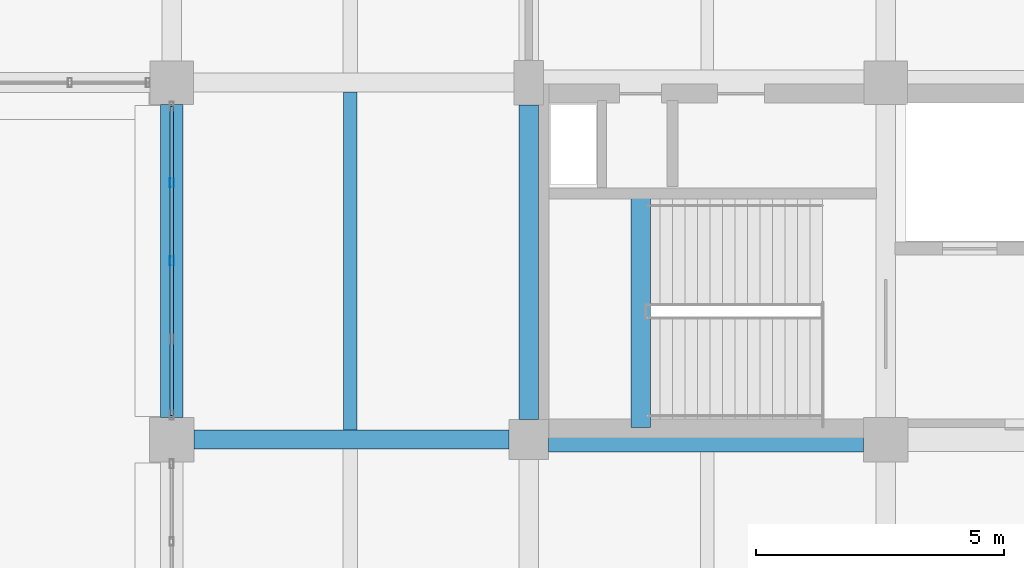
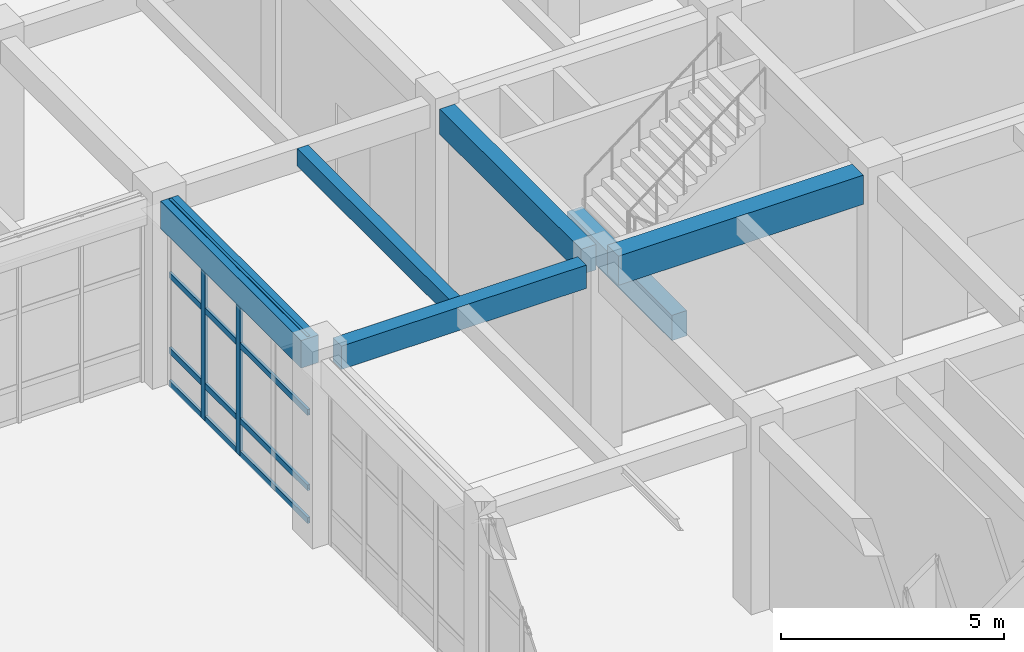
# One storey, part 100 of 160: 6 beams, 6 members, 1 element without a shape of its own.
"""IFC4 building model written with IfcOpenShell, lengths in metres."""

from ifc_helpers import new_model, si_unit, direction, frame, origin, origin_2d, place, context, subcontext, project, spatial, rectangle, hollow_rectangle, extrude, material, material_profile, profile_set, type_object, element, aggregate, save


model = new_model("IFC4")

# Units and contexts
model_context = context("Model", 3, precision=1e-05, world=origin(), true_north=direction((0.0, 1.0)))
body_context = subcontext(model_context, "Body", "Model", "MODEL_VIEW")
ifc_project = project(units=[si_unit("LENGTHUNIT", "METRE"), si_unit("AREAUNIT", "SQUARE_METRE"), si_unit("VOLUMEUNIT", "CUBIC_METRE"), si_unit("PLANEANGLEUNIT", "RADIAN"), si_unit("MASSUNIT", "GRAM", prefix="KILO")], contexts=[model_context])

# Site, building, storey
site_placement = place(None, origin())
site = spatial("IfcSite", under=ifc_project, at=site_placement, CompositionType="ELEMENT")
building_placement = place(site_placement, origin())
building = spatial("IfcBuilding", under=site, at=building_placement, Name="Thalmaran Polytechnic", CompositionType="ELEMENT")
storey_placement = place(building_placement, origin())
storey = spatial("IfcBuildingStorey", under=building, at=storey_placement, Name="L00", CompositionType="ELEMENT", Elevation=0.0)

# Beams
ifc_material_1 = material(Name="Concrete C40/50", Category="concrete")
ifc_material_profile_1 = material_profile(ifc_material_1, rectangle(XDim=0.5, YDim=0.800048828125, at=origin_2d()), Name="RC 500x800")
ifc_profile_set_1 = profile_set([ifc_material_profile_1], Name="Concrete C40/50")
beam_type_1 = type_object("IfcBeamType", Name="BM-RC02", PredefinedType="BEAM", material=ifc_profile_set_1)
beam_1_placement = place(storey_placement, frame((137.199951171875, 86.39990234375, 4.68994140625), z_axis=(1.0, 0.0, 0.0), x_axis=(0.0, 1.0, 0.0)))
element("IfcBeam", 1, at=beam_1_placement, inside=storey, type_object=beam_type_1, Name="Grid Beam B02 L00 X(19,12)", PredefinedType="BEAM", context=body_context, shape_type="SweptSolid", body=[
    extrude(rectangle(XDim=0.5, YDim=0.800048828125, at=origin_2d()), origin(), (0.0, 0.0, 1.0), 6.35009765625),
])
ifc_material_profile_2 = material_profile(ifc_material_1, rectangle(XDim=0.389892578125, YDim=0.695068359375, at=origin_2d()), Name="RC 390x695")
ifc_profile_set_2 = profile_set([ifc_material_profile_2], Name="Concrete C40/50")
beam_type_2 = type_object("IfcBeamType", Name="BM-RC10", PredefinedType="BEAM", material=ifc_profile_set_2)
beam_2_placement = place(storey_placement, frame((136.800048828125, 86.800048828125, 4.742431640625), z_axis=(0.0, 1.0, 0.0), x_axis=(-1.0, 0.0, 0.0)))
element("IfcBeam", 2, at=beam_2_placement, inside=storey, type_object=beam_type_2, Name="Grid Beam B10 L00 Y(19,12)", PredefinedType="BEAM", context=body_context, shape_type="SweptSolid", body=[
    extrude(rectangle(XDim=0.389892578125, YDim=0.695068359375, at=origin_2d()), origin(), (0.0, 0.0, 1.0), 6.349853515625),
])
beam_3_placement = place(storey_placement, frame((139.06005859375, 86.639892578125, 2.239990234375), z_axis=(0.0, 1.0, 0.0), x_axis=(-1.0, 0.0, 0.0)))
element("IfcBeam", 3, at=beam_3_placement, inside=storey, type_object=beam_type_2, Name="ST5 L00 Half-Landing Trimmer Beam", PredefinedType="BEAM", context=body_context, shape_type="SweptSolid", body=[
    extrude(rectangle(XDim=0.389892578125, YDim=0.695068359375, at=origin_2d()), origin(), (0.0, 0.0, 1.0), 4.7001953125),
])
ifc_material_profile_3 = material_profile(ifc_material_1, rectangle(XDim=0.449951171875, YDim=0.7548828125, at=origin_2d()), Name="RC 450x755")
ifc_profile_set_3 = profile_set([ifc_material_profile_3], Name="Concrete C40/50")
beam_type_3 = type_object("IfcBeamType", Name="BM-SP02", PredefinedType="SPANDREL", material=ifc_profile_set_3)
beam_4_placement = place(storey_placement, frame((129.60009765625, 86.85009765625, 4.71240234375), z_axis=(0.0, 1.0, 0.0), x_axis=(-1.0, 0.0, 0.0)))
element("IfcBeam", 4, at=beam_4_placement, inside=storey, type_object=beam_type_3, Name="Grid Beam SP02 L00 Y(18,12)", PredefinedType="SPANDREL", context=body_context, shape_type="SweptSolid", body=[
    extrude(rectangle(XDim=0.449951171875, YDim=0.7548828125, at=origin_2d()), origin(), (0.0, 0.0, 1.0), 6.309814453125),
])
ifc_material_profile_4 = material_profile(ifc_material_1, rectangle(XDim=0.3798828125, YDim=0.639892578125, at=origin_2d()), Name="RC 380x640")
ifc_profile_set_4 = profile_set([ifc_material_profile_4], Name="Concrete C40/50")
beam_type_4 = type_object("IfcBeamType", Name="BM-ZB05", PredefinedType="BEAM", material=ifc_profile_set_4)
beam_5_placement = place(storey_placement, frame((130.050048828125, 86.39990234375, 4.77001953125), z_axis=(1.0, 0.0, 0.0), x_axis=(0.0, 1.0, 0.0)))
element("IfcBeam", 5, at=beam_5_placement, inside=storey, type_object=beam_type_4, Name="Grid Beam ZB05 L00 X(18,12)", PredefinedType="BEAM", context=body_context, shape_type="SweptSolid", body=[
    extrude(rectangle(XDim=0.3798828125, YDim=0.639892578125, at=origin_2d()), origin(), (0.0, 0.0, 1.0), 6.349853515625),
])
ifc_material_profile_5 = material_profile(ifc_material_1, rectangle(XDim=0.280029296875, YDim=0.47998046875, at=origin_2d()), Name="RC 280x480")
ifc_profile_set_5 = profile_set([ifc_material_profile_5], Name="Concrete C40/50")
beam_type_5 = type_object("IfcBeamType", Name="BM-ZJ01", PredefinedType="JOIST", material=ifc_profile_set_5)
beam_6_placement = place(storey_placement, frame((133.199951171875, 86.590087890625, 4.85009765625), z_axis=(0.0, 1.0, 0.0), x_axis=(-1.0, 0.0, 0.0)))
element("IfcBeam", 6, at=beam_6_placement, inside=storey, type_object=beam_type_5, Name="Secondary Floor Rib ZJ01 L00 (18,12)", PredefinedType="JOIST", context=body_context, shape_type="SweptSolid", body=[
    extrude(rectangle(XDim=0.280029296875, YDim=0.47998046875, at=origin_2d()), origin(), (0.0, 0.0, 1.0), 6.81982421875),
])

# Curtain wall, members
ifc_material_2 = material(Name="Aluminium 6063-T6", Category="aluminium")
curtain_wall_type = type_object("IfcCurtainWallType", Name="CW-UC01", PredefinedType="USERDEFINED", material=ifc_material_2)
curtain_wall_placement = place(storey_placement, origin())
curtain_wall = element("IfcCurtainWall", 7, at=curtain_wall_placement, inside=storey, type_object=curtain_wall_type, Name="Curtain Wall CW-L00-071", ObjectType="UNITISED CURTAIN WALL", PredefinedType="USERDEFINED")
ifc_material_profile_6 = material_profile(ifc_material_2, hollow_rectangle(XDim=0.080078125, YDim=0.179931640625, WallThickness=0.0048828125, at=origin_2d()), Name="RHS 180x80x5.0")
ifc_profile_set_6 = profile_set([ifc_material_profile_6], Name="Aluminium 6063-T6")
member_type_1 = type_object("IfcMemberType", Name="CW-MUL1", PredefinedType="MULLION", material=ifc_profile_set_6)
member_1_placement = place(storey_placement, frame((129.60009765625, 90.0048828125, 0.0), z_axis=(0.0, 0.0, 1.0), x_axis=(1.0, 0.0, 0.0)))
member_1 = element("IfcMember", 8, at=member_1_placement, type_object=member_type_1, Name="CW-L00-071 Mullion 3", PredefinedType="MULLION", context=body_context, shape_type="SweptSolid", body=[
    extrude(hollow_rectangle(XDim=0.080078125, YDim=0.179931640625, WallThickness=0.0048828125, at=origin_2d()), origin(), (0.0, 0.0, 1.0), 5.090087890625),
])
member_2_placement = place(storey_placement, frame((129.60009765625, 91.58251953125, 0.0), z_axis=(0.0, 0.0, 1.0), x_axis=(1.0, 0.0, 0.0)))
member_2 = element("IfcMember", 9, at=member_2_placement, type_object=member_type_1, Name="CW-L00-071 Mullion 4", PredefinedType="MULLION", context=body_context, shape_type="SweptSolid", body=[
    extrude(hollow_rectangle(XDim=0.080078125, YDim=0.179931640625, WallThickness=0.0048828125, at=origin_2d()), origin(), (0.0, 0.0, 1.0), 5.090087890625),
])
ifc_material_profile_7 = material_profile(ifc_material_2, hollow_rectangle(XDim=0.070068359375, YDim=0.159912109375, WallThickness=0.00390625, at=origin_2d()), Name="AL 160x70x4.0")
ifc_profile_set_7 = profile_set([ifc_material_profile_7], Name="Aluminium 6063-T6")
member_type_2 = type_object("IfcMemberType", Name="CW-TRN1", PredefinedType="USERDEFINED", material=ifc_profile_set_7)
member_3_placement = place(storey_placement, frame((129.60009765625, 86.889892578125, 0.06005859375), z_axis=(0.0, 1.0, 0.0), x_axis=(-1.0, 0.0, 0.0)))
member_3 = element("IfcMember", 10, at=member_3_placement, type_object=member_type_2, Name="CW-L00-071 Transom 1", ObjectType="TRANSOM", PredefinedType="USERDEFINED", context=body_context, shape_type="SweptSolid", body=[
    extrude(hollow_rectangle(XDim=0.070068359375, YDim=0.159912109375, WallThickness=0.00390625, at=origin_2d()), origin(), (0.0, 0.0, 1.0), 6.230224609375),
])
member_4_placement = place(storey_placement, frame((129.60009765625, 86.889892578125, 0.9599609375), z_axis=(0.0, 1.0, 0.0), x_axis=(-1.0, 0.0, 0.0)))
member_4 = element("IfcMember", 11, at=member_4_placement, type_object=member_type_2, Name="CW-L00-071 Transom 2", ObjectType="TRANSOM", PredefinedType="USERDEFINED", context=body_context, shape_type="SweptSolid", body=[
    extrude(hollow_rectangle(XDim=0.070068359375, YDim=0.159912109375, WallThickness=0.00390625, at=origin_2d()), origin(), (0.0, 0.0, 1.0), 6.230224609375),
])
member_5_placement = place(storey_placement, frame((129.60009765625, 86.889892578125, 3.02490234375), z_axis=(0.0, 1.0, 0.0), x_axis=(-1.0, 0.0, 0.0)))
member_5 = element("IfcMember", 12, at=member_5_placement, type_object=member_type_2, Name="CW-L00-071 Transom 3", ObjectType="TRANSOM", PredefinedType="USERDEFINED", context=body_context, shape_type="SweptSolid", body=[
    extrude(hollow_rectangle(XDim=0.070068359375, YDim=0.159912109375, WallThickness=0.00390625, at=origin_2d()), origin(), (0.0, 0.0, 1.0), 6.230224609375),
])
member_6_placement = place(storey_placement, frame((129.60009765625, 86.889892578125, 5.030029296875), z_axis=(0.0, 1.0, 0.0), x_axis=(-1.0, 0.0, 0.0)))
member_6 = element("IfcMember", 13, at=member_6_placement, type_object=member_type_2, Name="CW-L00-071 Transom 4", ObjectType="TRANSOM", PredefinedType="USERDEFINED", context=body_context, shape_type="SweptSolid", body=[
    extrude(hollow_rectangle(XDim=0.070068359375, YDim=0.159912109375, WallThickness=0.00390625, at=origin_2d()), origin(), (0.0, 0.0, 1.0), 6.230224609375),
])
aggregate(curtain_wall, [member_1, member_2, member_3, member_4, member_5, member_6])

save(model, "model.ifc")
